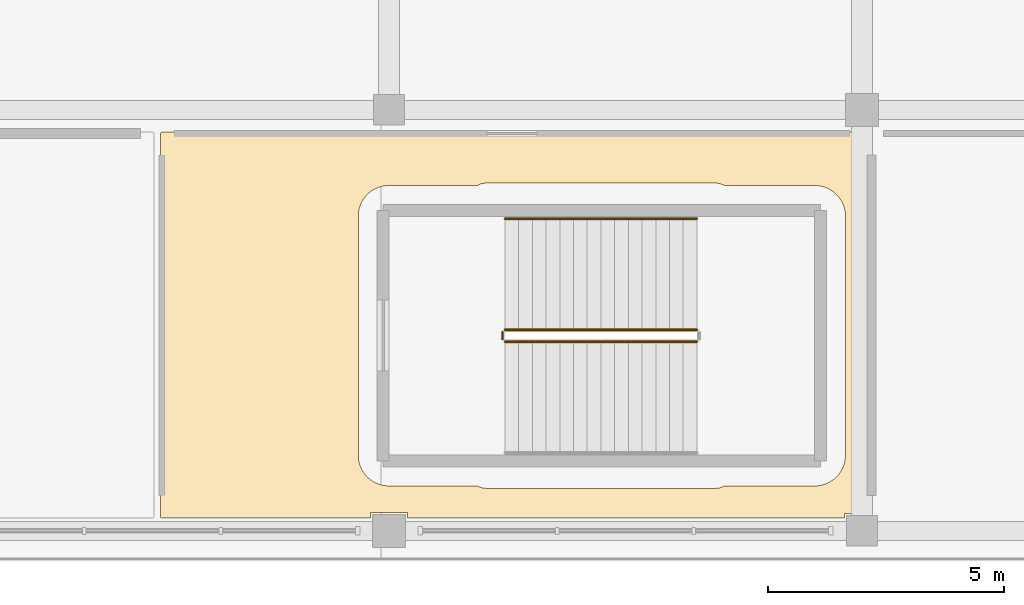
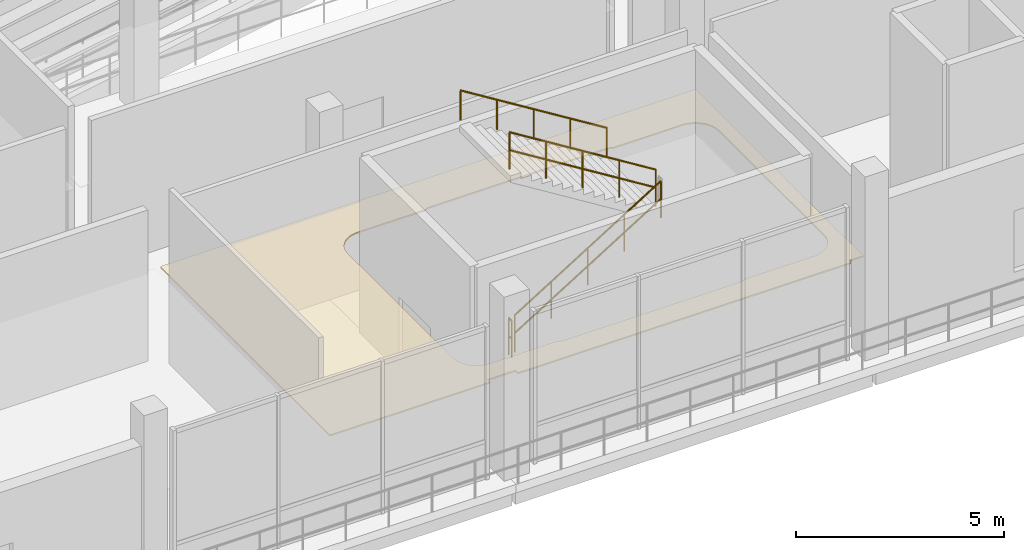
# One storey, part 109 of 127: 4 railings, 1 covering.
"""IFC4 building model written with IfcOpenShell, lengths in metres."""

from ifc_helpers import new_model, si_unit, direction, frame, origin, origin_2d, place, context, subcontext, project, spatial, polyline, circle, outline, extrude, material, layer, layer_set, type_object, element, save


model = new_model("IFC4")

# Units and contexts
model_context = context("Model", 3, precision=1e-05, world=origin(), true_north=direction((0.0, 1.0)))
body_context = subcontext(model_context, "Body", "Model", "MODEL_VIEW")
ifc_project = project(units=[si_unit("LENGTHUNIT", "METRE"), si_unit("AREAUNIT", "SQUARE_METRE"), si_unit("VOLUMEUNIT", "CUBIC_METRE"), si_unit("PLANEANGLEUNIT", "RADIAN"), si_unit("MASSUNIT", "GRAM", prefix="KILO")], contexts=[model_context])

# Site, building, storey
site_placement = place(None, origin())
site = spatial("IfcSite", under=ifc_project, at=site_placement, CompositionType="ELEMENT")
building_placement = place(site_placement, origin())
building = spatial("IfcBuilding", under=site, at=building_placement, Name="Candeia Ridge Stadium", CompositionType="ELEMENT")
storey_placement = place(building_placement, frame((0.0, 0.0, 10.800048828125)))
storey = spatial("IfcBuildingStorey", under=building, at=storey_placement, Name="L02", CompositionType="ELEMENT", Elevation=10.800048828125)

# Covering
ifc_material_1 = material(Name="Western Red Cedar Acoustic Slat", Category="wood")
ifc_layer_1 = layer(ifc_material_1, 0.044921875, Name="Western Red Cedar Acoustic Slat", Category="wood")
ifc_layer_set_1 = layer_set([ifc_layer_1], Name="Western Red Cedar Acoustic Slat")
covering_type = type_object("IfcCoveringType", Name="Slatted Cedar Acoustic Ceiling 45", PredefinedType="CEILING", material=ifc_layer_set_1)
covering_placement = place(storey_placement, frame((0.0, 0.0, 2.510009765625)))
element("IfcCovering", 1, at=covering_placement, inside=storey, type_object=covering_type, Name="Acoustic ceiling Corporate Hospitality Suite S02", PredefinedType="CEILING", context=body_context, shape_type="SweptSolid", body=[
    extrude(outline(polyline([(141.694091796875, 0.87060546875), (141.69140625, 0.871337890625), (141.6884765625, 0.872314453125), (141.685791015625, 0.87353515625), (141.683349609375, 0.875), (141.680908203125, 0.876708984375), (141.6787109375, 0.87890625), (141.6767578125, 0.881103515625), (141.675048828125, 0.88330078125), (141.673583984375, 0.885986328125), (141.67236328125, 0.888427734375), (141.67138671875, 0.891357421875), (141.670654296875, 0.89404296875), (141.670166015625, 0.897216796875), (141.669921875, 0.89990234375), (141.669921875, 9.0), (141.670166015625, 9.0029296875), (141.670654296875, 9.005859375), (141.67138671875, 9.0087890625), (141.67236328125, 9.011474609375), (141.673583984375, 9.01416015625), (141.675048828125, 9.0166015625), (141.6767578125, 9.01904296875), (141.6787109375, 9.021240234375), (141.680908203125, 9.023193359375), (141.683349609375, 9.02490234375), (141.685791015625, 9.026611328125), (141.6884765625, 9.027587890625), (141.69140625, 9.02880859375), (141.694091796875, 9.029296875), (141.697021484375, 9.02978515625), (141.699951171875, 9.030029296875), (156.5, 9.030029296875), (156.5029296875, 9.02978515625), (156.505859375, 9.029296875), (156.5087890625, 9.02880859375), (156.511474609375, 9.027587890625), (156.51416015625, 9.026611328125), (156.5166015625, 9.02490234375), (156.51904296875, 9.023193359375), (156.521240234375, 9.021240234375), (156.523193359375, 9.01904296875), (156.52490234375, 9.0166015625), (156.526611328125, 9.01416015625), (156.527587890625, 9.011474609375), (156.52880859375, 9.0087890625), (156.529296875, 9.005859375), (156.52978515625, 9.0029296875), (156.530029296875, 9.0), (156.530029296875, 0.965087890625), (156.135009765625, 0.965087890625), (156.135009765625, 0.8701171875), (146.889892578125, 0.8701171875), (146.889892578125, 0.989990234375), (146.110107421875, 0.989990234375), (146.110107421875, 0.8701171875), (141.699951171875, 0.8701171875), (141.697021484375, 0.8701171875), (141.694091796875, 0.87060546875)]), holes=[polyline([(146.3564453125, 1.56640625), (146.39013671875, 1.5595703125), (146.419189453125, 1.55517578125), (146.453369140625, 1.552001953125), (146.48291015625, 1.55029296875), (146.5, 1.550048828125), (148.37060546875, 1.550048828125), (148.385009765625, 1.541259765625), (148.416015625, 1.526611328125), (148.448486328125, 1.51513671875), (148.481689453125, 1.506591796875), (148.515625, 1.501708984375), (148.550048828125, 1.5), (153.409912109375, 1.5), (153.4443359375, 1.501708984375), (153.478271484375, 1.506591796875), (153.51171875, 1.51513671875), (153.5439453125, 1.526611328125), (153.574951171875, 1.541259765625), (153.589599609375, 1.550048828125), (155.5, 1.550048828125), (155.51708984375, 1.55029296875), (155.546630859375, 1.552001953125), (155.580810546875, 1.55517578125), (155.60986328125, 1.5595703125), (155.6435546875, 1.56640625), (155.672119140625, 1.573486328125), (155.705078125, 1.58349609375), (155.732666015625, 1.59326171875), (155.764404296875, 1.6064453125), (155.791015625, 1.618896484375), (155.8212890625, 1.63525390625), (155.8466796875, 1.650390625), (155.875244140625, 1.66943359375), (155.898681640625, 1.68701171875), (155.92529296875, 1.708740234375), (155.947265625, 1.728515625), (155.971435546875, 1.752685546875), (155.9912109375, 1.774658203125), (156.012939453125, 1.80126953125), (156.030517578125, 1.82470703125), (156.049560546875, 1.853515625), (156.064697265625, 1.878662109375), (156.0810546875, 1.908935546875), (156.093505859375, 1.935546875), (156.106689453125, 1.96728515625), (156.11669921875, 1.9951171875), (156.126708984375, 2.02783203125), (156.1337890625, 2.056396484375), (156.140380859375, 2.090087890625), (156.144775390625, 2.119140625), (156.148193359375, 2.1533203125), (156.149658203125, 2.182861328125), (156.14990234375, 2.199951171875), (156.14990234375, 7.25), (156.149658203125, 7.26708984375), (156.148193359375, 7.296630859375), (156.144775390625, 7.330810546875), (156.140380859375, 7.35986328125), (156.1337890625, 7.3935546875), (156.126708984375, 7.422119140625), (156.11669921875, 7.455078125), (156.106689453125, 7.482666015625), (156.093505859375, 7.514404296875), (156.0810546875, 7.541015625), (156.064697265625, 7.5712890625), (156.049560546875, 7.5966796875), (156.030517578125, 7.625244140625), (156.012939453125, 7.648681640625), (155.9912109375, 7.67529296875), (155.971435546875, 7.697265625), (155.947265625, 7.721435546875), (155.92529296875, 7.7412109375), (155.898681640625, 7.762939453125), (155.875244140625, 7.780517578125), (155.8466796875, 7.799560546875), (155.8212890625, 7.814697265625), (155.791015625, 7.8310546875), (155.764404296875, 7.843505859375), (155.732666015625, 7.856689453125), (155.705078125, 7.86669921875), (155.672119140625, 7.876708984375), (155.6435546875, 7.8837890625), (155.60986328125, 7.890380859375), (155.580810546875, 7.894775390625), (155.546630859375, 7.898193359375), (155.51708984375, 7.899658203125), (155.5, 7.89990234375), (153.589599609375, 7.89990234375), (153.574951171875, 7.90869140625), (153.5439453125, 7.92333984375), (153.51171875, 7.934814453125), (153.478271484375, 7.943359375), (153.4443359375, 7.9482421875), (153.409912109375, 7.949951171875), (148.550048828125, 7.949951171875), (148.515625, 7.9482421875), (148.481689453125, 7.943359375), (148.448486328125, 7.934814453125), (148.416015625, 7.92333984375), (148.385009765625, 7.90869140625), (148.37060546875, 7.89990234375), (146.5, 7.89990234375), (146.48291015625, 7.899658203125), (146.453369140625, 7.898193359375), (146.419189453125, 7.894775390625), (146.39013671875, 7.890380859375), (146.3564453125, 7.8837890625), (146.327880859375, 7.876708984375), (146.294921875, 7.86669921875), (146.267333984375, 7.856689453125), (146.235595703125, 7.843505859375), (146.208984375, 7.8310546875), (146.1787109375, 7.814697265625), (146.1533203125, 7.799560546875), (146.124755859375, 7.780517578125), (146.101318359375, 7.762939453125), (146.07470703125, 7.7412109375), (146.052734375, 7.721435546875), (146.028564453125, 7.697265625), (146.0087890625, 7.67529296875), (145.987060546875, 7.648681640625), (145.969482421875, 7.625244140625), (145.950439453125, 7.5966796875), (145.935302734375, 7.5712890625), (145.9189453125, 7.541015625), (145.906494140625, 7.514404296875), (145.893310546875, 7.482666015625), (145.88330078125, 7.455078125), (145.873291015625, 7.422119140625), (145.8662109375, 7.3935546875), (145.859619140625, 7.35986328125), (145.855224609375, 7.330810546875), (145.851806640625, 7.296630859375), (145.850341796875, 7.26708984375), (145.85009765625, 7.25), (145.85009765625, 2.199951171875), (145.850341796875, 2.182861328125), (145.851806640625, 2.1533203125), (145.855224609375, 2.119140625), (145.859619140625, 2.090087890625), (145.8662109375, 2.056396484375), (145.873291015625, 2.02783203125), (145.88330078125, 1.9951171875), (145.893310546875, 1.96728515625), (145.906494140625, 1.935546875), (145.9189453125, 1.908935546875), (145.935302734375, 1.878662109375), (145.950439453125, 1.853515625), (145.969482421875, 1.82470703125), (145.987060546875, 1.80126953125), (146.0087890625, 1.774658203125), (146.028564453125, 1.752685546875), (146.052734375, 1.728515625), (146.07470703125, 1.708740234375), (146.101318359375, 1.68701171875), (146.124755859375, 1.66943359375), (146.1533203125, 1.650390625), (146.1787109375, 1.63525390625), (146.208984375, 1.618896484375), (146.235595703125, 1.6064453125), (146.267333984375, 1.59326171875), (146.294921875, 1.58349609375), (146.327880859375, 1.573486328125), (146.3564453125, 1.56640625)])]), origin(), (0.0, 0.0, 1.0), 0.0400390625),
])

# Railings
ifc_material_2 = material(Name="Brushed Stainless Steel", Category="steel")
ifc_layer_2 = layer(ifc_material_2, 0.048095703125, Name="Brushed Stainless Steel", Category="steel")
ifc_layer_set_2 = layer_set([ifc_layer_2], Name="Brushed Stainless Steel")
railing_type_1 = type_object("IfcRailingType", Name="Stair Wall & Flight Handrail 900", PredefinedType="HANDRAIL", material=ifc_layer_set_2)
railing_1_placement = place(storey_placement, frame((153.010009765625, 7.199951171875, 2.8798828125)))
element("IfcRailing", 2, at=railing_1_placement, inside=storey, type_object=railing_type_1, Name="L02 ST14 stair handrail 2", PredefinedType="HANDRAIL", context=body_context, shape_type="SweptSolid", body=[
    extrude(circle(Radius=0.02392578125, at=origin_2d()), frame((0.0, 0.0, 0.8759765625), z_axis=(-0.849641744969, 0.0, 0.527360318194), x_axis=(0.0, -1.0, 0.0)), (0.0, 0.0, 1.0), 4.778564453125),
    extrude(circle(Radius=0.02099609375, at=origin_2d()), origin(), (0.0, 0.0, 1.0), 0.851806640625),
    extrude(circle(Radius=0.02099609375, at=origin_2d()), frame((-1.01513671875, 0.0, 0.6298828125)), (0.0, 0.0, 1.0), 0.851806640625),
    extrude(circle(Radius=0.02099609375, at=origin_2d()), frame((-2.030029296875, 0.0, 1.260009765625)), (0.0, 0.0, 1.0), 0.851806640625),
    extrude(circle(Radius=0.02099609375, at=origin_2d()), frame((-3.044921875, 0.0, 1.89013671875)), (0.0, 0.0, 1.0), 0.851806640625),
    extrude(circle(Radius=0.02099609375, at=origin_2d()), frame((-4.06005859375, 0.0, 2.52001953125)), (0.0, 0.0, 1.0), 0.851806640625),
])
ifc_material_3 = material(Name="Galvanized Powder-Coated Steel", Category="steel")
ifc_layer_3 = layer(ifc_material_3, 0.06005859375, Name="Galvanized Powder-Coated Steel", Category="steel")
ifc_layer_set_3 = layer_set([ifc_layer_3], Name="Galvanized Powder-Coated Steel")
railing_type_2 = type_object("IfcRailingType", Name="Stair Well Guardrail 1100", PredefinedType="GUARDRAIL", material=ifc_layer_set_3)
railing_2_placement = place(storey_placement, frame((148.949951171875, 4.60009765625, 0.179931640625)))
element("IfcRailing", 3, at=railing_2_placement, inside=storey, type_object=railing_type_2, Name="L02 ST14 stair guard 1", PredefinedType="GUARDRAIL", context=body_context, shape_type="SweptSolid", body=[
    extrude(circle(Radius=0.02392578125, at=origin_2d()), frame((0.0, 0.0, 1.076171875), z_axis=(0.849641744969, 0.0, 0.527360318194), x_axis=(0.0, 1.0, 0.0)), (0.0, 0.0, 1.0), 4.778564453125),
    extrude(circle(Radius=0.02392578125, at=origin_2d()), frame((0.0, 0.0, 0.550048828125), z_axis=(0.849641744969, 0.0, 0.527360318194), x_axis=(0.0, 1.0, 0.0)), (0.0, 0.0, 1.0), 4.778564453125),
    extrude(circle(Radius=0.02099609375, at=origin_2d()), origin(), (0.0, 0.0, 1.0), 1.052001953125),
    extrude(circle(Radius=0.02099609375, at=origin_2d()), frame((1.01513671875, 0.0, 0.6298828125)), (0.0, 0.0, 1.0), 1.052001953125),
    extrude(circle(Radius=0.02099609375, at=origin_2d()), frame((2.030029296875, 0.0, 1.260009765625)), (0.0, 0.0, 1.0), 1.052001953125),
    extrude(circle(Radius=0.02099609375, at=origin_2d()), frame((3.044921875, 0.0, 1.89013671875)), (0.0, 0.0, 1.0), 1.052001953125),
    extrude(circle(Radius=0.02099609375, at=origin_2d()), frame((4.06005859375, 0.0, 2.52001953125)), (0.0, 0.0, 1.0), 1.052001953125),
])
railing_3_placement = place(storey_placement, frame((153.010009765625, 4.85009765625, 2.8798828125)))
element("IfcRailing", 4, at=railing_3_placement, inside=storey, type_object=railing_type_2, Name="L02 ST14 stair guard 3", PredefinedType="GUARDRAIL", context=body_context, shape_type="SweptSolid", body=[
    extrude(circle(Radius=0.02392578125, at=origin_2d()), frame((0.0, 0.0, 1.076171875), z_axis=(-0.849641744969, 0.0, 0.527360318194), x_axis=(0.0, -1.0, 0.0)), (0.0, 0.0, 1.0), 4.778564453125),
    extrude(circle(Radius=0.02392578125, at=origin_2d()), frame((0.0, 0.0, 0.550048828125), z_axis=(-0.849641744969, 0.0, 0.527360318194), x_axis=(0.0, -1.0, 0.0)), (0.0, 0.0, 1.0), 4.778564453125),
    extrude(circle(Radius=0.02099609375, at=origin_2d()), origin(), (0.0, 0.0, 1.0), 1.052001953125),
    extrude(circle(Radius=0.02099609375, at=origin_2d()), frame((-1.01513671875, 0.0, 0.6298828125)), (0.0, 0.0, 1.0), 1.052001953125),
    extrude(circle(Radius=0.02099609375, at=origin_2d()), frame((-2.030029296875, 0.0, 1.260009765625)), (0.0, 0.0, 1.0), 1.052001953125),
    extrude(circle(Radius=0.02099609375, at=origin_2d()), frame((-3.044921875, 0.0, 1.89013671875)), (0.0, 0.0, 1.0), 1.052001953125),
    extrude(circle(Radius=0.02099609375, at=origin_2d()), frame((-4.06005859375, 0.0, 2.52001953125)), (0.0, 0.0, 1.0), 1.052001953125),
])
railing_4_placement = place(storey_placement, frame((148.89990234375, 4.64990234375, 0.0)))
element("IfcRailing", 5, at=railing_4_placement, inside=storey, type_object=railing_type_2, Name="L02 ST14 stair guard 4", PredefinedType="GUARDRAIL", context=body_context, shape_type="SweptSolid", body=[
    extrude(circle(Radius=0.02392578125, at=origin_2d()), frame((0.0, 0.0, 1.076171875), z_axis=(0.0, 1.0, 0.0), x_axis=(-1.0, 0.0, 0.0)), (0.0, 0.0, 1.0), 0.150146484375),
    extrude(circle(Radius=0.02392578125, at=origin_2d()), frame((0.0, 0.0, 0.550048828125), z_axis=(0.0, 1.0, 0.0), x_axis=(-1.0, 0.0, 0.0)), (0.0, 0.0, 1.0), 0.150146484375),
    extrude(circle(Radius=0.02099609375, at=origin_2d()), origin(), (0.0, 0.0, 1.0), 1.052001953125),
    extrude(circle(Radius=0.02099609375, at=origin_2d()), frame((0.0, 0.150146484375, 0.0)), (0.0, 0.0, 1.0), 1.052001953125),
])

save(model, "model.ifc")
